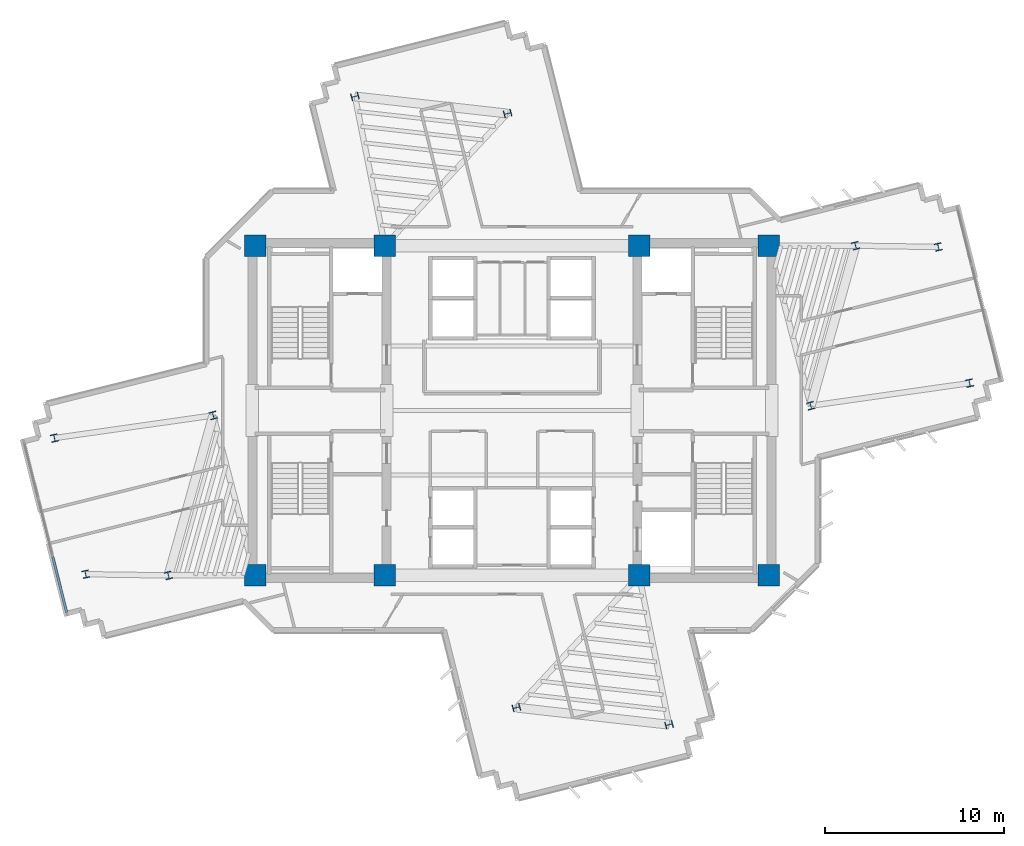
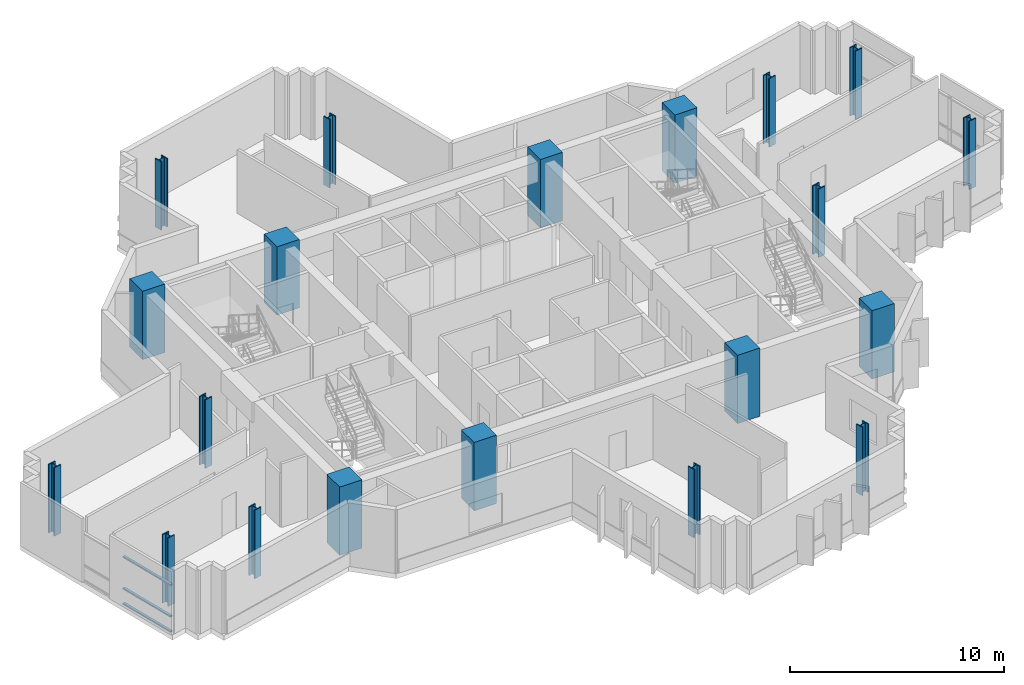
# One storey, part 1 of 13: 20 columns, 3 members, 1 element without a shape of its own.
"""IFC4 building model written with IfcOpenShell, lengths in metres."""

import ifcopenshell
import ifcopenshell.guid

model = None  # the IFC model being written
_history = None  # IfcOwnerHistory: only IFC2X3 demands one
_inside = {}  # id of a spatial element -> (the spatial element, [elements in it])
_under = {}  # id of a project, library or spatial element -> (it, [spatial elements below it])
_declared = {}  # id of a project -> (the project, [libraries it declares])
_typed = {}  # id of a type object -> (the type object, [elements of that type])
_made_of = {}  # id of a material, layer set ... -> (it, [elements and type objects made of it])


def new_model(schema):
    """Start an empty IFC model of exactly this schema.

    Asked for "IFC4X3", IfcOpenShell would pick the latest addendum, in which some entities
    have other attributes; the version numbers below select the first issue.
    IFC2X3 requires an IfcOwnerHistory on every rooted entity: one is made here for all.
    """
    global model, _history
    if schema == "IFC4X3":
        model = ifcopenshell.file(schema_version=(4, 3, 0, 0))
    else:
        model = ifcopenshell.file(schema=schema)
    _inside.clear()
    _under.clear()
    _declared.clear()
    _typed.clear()
    _made_of.clear()
    _history = None
    if model.schema == "IFC2X3":
        org = make("IfcOrganization", Name="unknown")
        user = make(
            "IfcPersonAndOrganization",
            ThePerson=make("IfcPerson", FamilyName="unknown"),
            TheOrganization=org,
        )
        app = make(
            "IfcApplication",
            ApplicationDeveloper=org,
            Version="unknown",
            ApplicationFullName="unknown",
            ApplicationIdentifier="unknown",
        )
        _history = make(
            "IfcOwnerHistory",
            OwningUser=user,
            OwningApplication=app,
            ChangeAction="ADDED",
            CreationDate=0,
        )
    return model


def make(cls, **values):
    """One entity of the class cls with the attributes given. An attribute that is None is left unset."""
    return model.create_entity(
        cls, **{name: value for name, value in values.items() if value is not None}
    )


def rooted(cls, **values):
    """An entity with a GlobalId (a new one), such as an element, a storey or a relation."""
    return make(cls, GlobalId=ifcopenshell.guid.new(), OwnerHistory=_history, **values)


def si_unit(unit_type, name, prefix=None):
    """IfcSIUnit, for example si_unit("LENGTHUNIT", "METRE", prefix="MILLI")."""
    return make("IfcSIUnit", UnitType=unit_type, Prefix=prefix, Name=name)


def assignment(units):
    """IfcUnitAssignment: the units of a project."""
    return None if units is None else make("IfcUnitAssignment", Units=units)


def point(xyz):
    """IfcCartesianPoint."""
    return None if xyz is None else make("IfcCartesianPoint", Coordinates=xyz)


def direction(xyz):
    """IfcDirection."""
    return None if xyz is None else make("IfcDirection", DirectionRatios=xyz)


def frame(location, z_axis=None, x_axis=None):
    """IfcAxis2Placement3D, a coordinate frame: its origin and axes. An axis left out is left unset."""
    return make(
        "IfcAxis2Placement3D",
        Location=point(location),
        Axis=direction(z_axis),
        RefDirection=direction(x_axis),
    )


def frame_2d(location, x_axis=None):
    """IfcAxis2Placement2D, a coordinate frame in the plane: its origin and x axis."""
    return make(
        "IfcAxis2Placement2D", Location=point(location), RefDirection=direction(x_axis)
    )


def origin():
    """The frame at (0, 0, 0) with its axes left unset."""
    return frame((0.0, 0.0, 0.0))


def origin_2d():
    """The frame at (0, 0) in the plane with its x axis left unset."""
    return frame_2d((0.0, 0.0))


def place(relative_to, where):
    """IfcLocalPlacement: puts the frame where relative to a parent placement (None: the world)."""
    return make(
        "IfcLocalPlacement", PlacementRelTo=relative_to, RelativePlacement=where
    )


def context(
    kind, dimensions, precision=None, world=None, true_north=None, identifier=None
):
    """IfcGeometricRepresentationContext, for example the 3D "Model" context."""
    return make(
        "IfcGeometricRepresentationContext",
        ContextIdentifier=identifier,
        ContextType=kind,
        CoordinateSpaceDimension=dimensions,
        Precision=precision,
        WorldCoordinateSystem=world,
        TrueNorth=true_north,
    )


def subcontext(parent, identifier, kind, view, scale=None):
    """IfcGeometricRepresentationSubContext, for example "Body" below "Model"."""
    return make(
        "IfcGeometricRepresentationSubContext",
        ContextIdentifier=identifier,
        ContextType=kind,
        ParentContext=parent,
        TargetScale=scale,
        TargetView=view,
    )


def project(units=None, contexts=None):
    """IfcProject with its units and contexts."""
    return rooted(
        "IfcProject",
        Name="project",
        RepresentationContexts=contexts,
        UnitsInContext=assignment(units),
    )


def spatial(cls, under=None, at=None, **own):
    """A site, building, storey or space (cls), placed at a placement, below another one or the project."""
    s = rooted(cls, ObjectPlacement=at, **own)
    if under is not None:
        _under.setdefault(under.id(), (under, []))[1].append(s)
    return s


def profile(cls, at=None, kind="AREA", **sizes):
    """A parametric profile (cls). Its sizes go by their IFC names, for example OverallWidth=200.0."""
    return make(cls, ProfileType=kind, Position=at, **sizes)


def rectangle(**sizes):
    """IfcRectangleProfileDef."""
    return profile("IfcRectangleProfileDef", **sizes)


def i_section(**sizes):
    """IfcIShapeProfileDef."""
    return profile("IfcIShapeProfileDef", **sizes)


def extrude(swept, where, along, depth):
    """IfcExtrudedAreaSolid: the profile swept, set in the frame where, extruded along a direction by depth."""
    return make(
        "IfcExtrudedAreaSolid",
        SweptArea=swept,
        Position=where,
        ExtrudedDirection=direction(along),
        Depth=depth,
    )


def shape(context_of_items, identifier, shape_type, items):
    """IfcShapeRepresentation: the items that make up one representation, for example the "Body"."""
    return make(
        "IfcShapeRepresentation",
        ContextOfItems=context_of_items,
        RepresentationIdentifier=identifier,
        RepresentationType=shape_type,
        Items=items,
    )


def source(mapping_origin, context_of_items, identifier, shape_type, items):
    """IfcRepresentationMap: a shape defined once, which mapped items show again and again."""
    return make(
        "IfcRepresentationMap",
        MappingOrigin=mapping_origin,
        MappedRepresentation=shape(context_of_items, identifier, shape_type, items),
    )


def transform(
    local_origin,
    x_axis=None,
    y_axis=None,
    z_axis=None,
    scale=None,
    scale2=None,
    scale3=None,
    uniform=True,
):
    """IfcCartesianTransformationOperator3D, or its non-uniform kind. x_axis, y_axis, z_axis: its Axis1, 2, 3."""
    if uniform:
        return make(
            "IfcCartesianTransformationOperator3D",
            Axis1=direction(x_axis),
            Axis2=direction(y_axis),
            LocalOrigin=point(local_origin),
            Scale=scale,
            Axis3=direction(z_axis),
        )
    return make(
        "IfcCartesianTransformationOperator3DnonUniform",
        Axis1=direction(x_axis),
        Axis2=direction(y_axis),
        LocalOrigin=point(local_origin),
        Scale=scale,
        Axis3=direction(z_axis),
        Scale2=scale2,
        Scale3=scale3,
    )


def mapped(mapping_source, mapping_target):
    """IfcMappedItem: shows the shape of a source again, moved by a transform."""
    return make(
        "IfcMappedItem", MappingSource=mapping_source, MappingTarget=mapping_target
    )


def material(Name=None, Category=None):
    """IfcMaterial."""
    return make("IfcMaterial", Name=Name, Category=Category)


def layer(
    of_material, thickness, ventilated=None, Name=None, Category=None, Priority=None
):
    """IfcMaterialLayer: one layer of a wall or slab, of a material (None: an air gap)."""
    return make(
        "IfcMaterialLayer",
        Material=of_material,
        LayerThickness=thickness,
        IsVentilated=ventilated,
        Name=Name,
        Category=Category,
        Priority=Priority,
    )


def layer_set(layers, Name=None):
    """IfcMaterialLayerSet."""
    return make("IfcMaterialLayerSet", MaterialLayers=layers, LayerSetName=Name)


def material_profile(
    of_material, cross_section, Name=None, Category=None, Priority=None
):
    """IfcMaterialProfile: a cross section and its material."""
    return make(
        "IfcMaterialProfile",
        Name=Name,
        Material=of_material,
        Profile=cross_section,
        Priority=Priority,
        Category=Category,
    )


def profile_set(profiles, Name=None, composite=None):
    """IfcMaterialProfileSet."""
    return make(
        "IfcMaterialProfileSet",
        Name=Name,
        MaterialProfiles=profiles,
        CompositeProfile=composite,
    )


def made_of(thing, what):
    """Note that an element or type object is made of a material, layer set ...; save() writes the relation."""
    if what is not None:
        _made_of.setdefault(what.id(), (what, []))[1].append(thing)
    return thing


def type_object(cls, material=None, **own):
    """A type object (cls), such as IfcWallType, which elements share."""
    return made_of(rooted(cls, **own), material)


def element(
    cls,
    number,
    at=None,
    inside=None,
    cuts=None,
    type_object=None,
    material=None,
    context=None,
    identifier="Body",
    shape_type=None,
    held_by="IfcProductDefinitionShape",
    body=None,
    shapes=None,
    **own,
):
    """One element of the class cls, such as IfcWall. Its Tag is "e" and its number.

    at: its placement. inside: the storey or other place that contains it. cuts: it is an
    opening in that element (IfcRelVoidsElement). A single representation is given by context,
    identifier, shape_type and body (its items); several are given by shapes. held_by: the class
    of the entity that holds the representations. save() writes the other relations.
    """
    e = rooted(cls, Tag="e%d" % number, ObjectPlacement=at, **own)
    if body is not None:
        shapes = [shape(context, identifier, shape_type, body)]
    if shapes is not None:
        e.Representation = make(held_by, Representations=shapes)
    if inside is not None:
        _inside.setdefault(inside.id(), (inside, []))[1].append(e)
    if cuts is not None:
        rooted(
            "IfcRelVoidsElement", RelatingBuildingElement=cuts, RelatedOpeningElement=e
        )
    if type_object is not None:
        _typed.setdefault(type_object.id(), (type_object, []))[1].append(e)
    return made_of(e, material)


def aggregate(whole, parts):
    """IfcRelAggregates: a whole, such as a stair, and the parts it consists of."""
    return rooted("IfcRelAggregates", RelatingObject=whole, RelatedObjects=parts)


def save(model, path):
    """Write the relations noted so far, then the file.

    IfcRelAggregates (storeys below a building ...), IfcRelContainedInSpatialStructure (elements
    in a storey), IfcRelDefinesByType, IfcRelAssociatesMaterial and IfcRelDeclares: one each for
    every whole, place, type object, material and project.
    """
    for whole, parts in _under.values():
        aggregate(whole, parts)
    for where, things in _inside.values():
        rooted(
            "IfcRelContainedInSpatialStructure",
            RelatedElements=things,
            RelatingStructure=where,
        )
    for kind, things in _typed.values():
        rooted("IfcRelDefinesByType", RelatedObjects=things, RelatingType=kind)
    for what, things in _made_of.values():
        rooted("IfcRelAssociatesMaterial", RelatedObjects=things, RelatingMaterial=what)
    for by, libraries in _declared.values():
        rooted("IfcRelDeclares", RelatingContext=by, RelatedDefinitions=libraries)
    model.write(path)


model = new_model("IFC4")

# Units and contexts
model_context = context("Model", 3, precision=1e-05, world=origin(), true_north=direction((0.0, 1.0)))
body_context = subcontext(model_context, "Body", "Model", "MODEL_VIEW")
ifc_project = project(units=[si_unit("LENGTHUNIT", "METRE"), si_unit("AREAUNIT", "SQUARE_METRE"), si_unit("VOLUMEUNIT", "CUBIC_METRE"), si_unit("PLANEANGLEUNIT", "RADIAN"), si_unit("MASSUNIT", "GRAM", prefix="KILO")], contexts=[model_context])

# Site, building, storey
site_placement = place(None, origin())
site = spatial("IfcSite", under=ifc_project, at=site_placement, CompositionType="ELEMENT")
building_placement = place(site_placement, origin())
building = spatial("IfcBuilding", under=site, at=building_placement, Name="Zahravan Cultural Tower", CompositionType="ELEMENT")
storey_placement = place(building_placement, frame((0.0, 0.0, 182.39990234375)))
storey = spatial("IfcBuildingStorey", under=building, at=storey_placement, Name="L42", CompositionType="ELEMENT", Elevation=182.39990234375)

# Columns
ifc_material_1 = material(Name="Concrete C50/60", Category="concrete")
ifc_material_profile_1 = material_profile(ifc_material_1, rectangle(XDim=1.199951171875, YDim=1.199951171875, at=origin_2d()), Name="RC1200X1200")
ifc_profile_set_1 = profile_set([ifc_material_profile_1], Name="Concrete C50/60")
column_type_1 = type_object("IfcColumnType", Name="COL-RC1200", PredefinedType="COLUMN", material=ifc_profile_set_1)
shared_shape_1 = source(origin(), body_context, "Body", "SweptSolid", [
    extrude(rectangle(XDim=1.199951171875, YDim=1.199951171875, at=origin_2d()), origin(), (0.0, 0.0, 1.0), 3.900146484375),
])
for number, where, z_axis, x_axis, name in (
    (1, (21.64990234375, 17.800048828125, 0.0), (0.0, 0.0, 1.0), (1.0, 0.0, 0.0), "L42 Column CC-W1"),
    (2, (28.89990234375, 17.800048828125, 0.0), (0.0, 0.0, 1.0), (1.0, 0.0, 0.0), "L42 Column CC-W2"),
    (3, (21.64990234375, 36.199951171875, 0.0), (0.0, 0.0, 1.0), (1.0, 0.0, 0.0), "L42 Column CC-W3"),
    (4, (28.89990234375, 36.199951171875, 0.0), (0.0, 0.0, 1.0), (1.0, 0.0, 0.0), "L42 Column CC-W4"),
    (5, (43.10009765625, 17.800048828125, 0.0), (0.0, 0.0, 1.0), (1.0, 0.0, 0.0), "L42 Column CC-E1"),
    (6, (50.35009765625, 17.800048828125, 0.0), (0.0, 0.0, 1.0), (1.0, 0.0, 0.0), "L42 Column CC-E2"),
    (7, (43.10009765625, 36.199951171875, 0.0), (0.0, 0.0, 1.0), (1.0, 0.0, 0.0), "L42 Column CC-E3"),
    (8, (50.35009765625, 36.199951171875, 0.0), (0.0, 0.0, 1.0), (1.0, 0.0, 0.0), "L42 Column CC-E4"),
):
    element("IfcColumn", number, at=place(storey_placement, frame(where, z_axis=z_axis, x_axis=x_axis)), inside=storey, type_object=column_type_1, Name=name, PredefinedType="COLUMN", context=body_context, shape_type="MappedRepresentation", body=[
        mapped(shared_shape_1, transform((0.0, 0.0, 0.0), x_axis=(1.0, 0.0, 0.0), y_axis=(0.0, 1.0, 0.0), z_axis=(0.0, 0.0, 1.0), scale=1.0)),
    ])
ifc_material_2 = material(Name="Steel ASTM A992 Grade 50", Category="steel")
ifc_material_profile_2 = material_profile(ifc_material_2, i_section(OverallWidth=0.412109375, OverallDepth=0.43505859375, WebThickness=0.035888671875, FlangeThickness=0.057373046875, FilletRadius=0.01806640625, at=origin_2d()), Name="W14X311")
ifc_profile_set_2 = profile_set([ifc_material_profile_2], Name="Steel ASTM A992 Grade 50")
column_type_2 = type_object("IfcColumnType", Name="COL-W14X311", PredefinedType="COLUMN", material=ifc_profile_set_2)
shared_shape_2 = source(origin(), body_context, "Body", "SweptSolid", [
    extrude(i_section(OverallWidth=0.412109375, OverallDepth=0.43505859375, WebThickness=0.035888671875, FlangeThickness=0.057373046875, FilletRadius=0.01806640625, at=origin_2d()), origin(), (0.0, 0.0, 1.0), 3.900146484375),
])
for number, where, z_axis, x_axis, name in (
    (9, (52.684326171875, 27.27099609375, 0.0), (0.0, 0.0, 1.0), (0.966823388604, 0.255445757936, 0.0), "L42 Column Z2C-E1"),
    (10, (55.184814453125, 36.2060546875, 0.0), (0.0, 0.0, 1.0), (0.966823388604, 0.255445757936, 0.0), "L42 Column Z2C-E2"),
    (11, (35.754638671875, 43.587646484375, 0.0), (0.0, 0.0, 1.0), (-0.255445757936, 0.966823388604, 0.0), "L42 Column Z2C-N1"),
    (12, (27.22802734375, 44.541259765625, 0.0), (0.0, 0.0, 1.0), (-0.255445757936, 0.966823388604, 0.0), "L42 Column Z2C-N2"),
    (13, (19.315673828125, 26.72900390625, 0.0), (0.0, 0.0, 1.0), (0.966823388604, 0.255445757936, 0.0), "L42 Column Z2C-W1"),
    (14, (16.815185546875, 17.7939453125, 0.0), (0.0, 0.0, 1.0), (0.966823388604, 0.255445757936, 0.0), "L42 Column Z2C-W2"),
    (15, (36.245361328125, 10.412353515625, 0.0), (0.0, 0.0, 1.0), (-0.255445757936, 0.966823388604, 0.0), "L42 Column Z2C-S1"),
    (16, (44.77197265625, 9.458740234375, 0.0), (0.0, 0.0, 1.0), (-0.255445757936, 0.966823388604, 0.0), "L42 Column Z2C-S2"),
    (17, (61.552734375, 28.53466796875, 0.0), (0.0, 0.0, 1.0), (0.977415894286, 0.211324796455, 0.0), "L42 Column Z2T-E1"),
    (18, (59.806640625, 36.13720703125, 0.0), (0.0, 0.0, 1.0), (0.977415894286, 0.211324796455, 0.0), "L42 Column Z2T-E2"),
    (19, (10.447265625, 25.46533203125, 0.0), (0.0, 0.0, 1.0), (0.977415894286, 0.211324796455, 0.0), "L42 Column Z2T-W1"),
    (20, (12.193359375, 17.86279296875, 0.0), (0.0, 0.0, 1.0), (0.977415894286, 0.211324796455, 0.0), "L42 Column Z2T-W2"),
):
    element("IfcColumn", number, at=place(storey_placement, frame(where, z_axis=z_axis, x_axis=x_axis)), inside=storey, type_object=column_type_2, Name=name, PredefinedType="COLUMN", context=body_context, shape_type="MappedRepresentation", body=[
        mapped(shared_shape_2, transform((0.0, 0.0, 0.0), x_axis=(1.0, 0.0, 0.0), y_axis=(0.0, 1.0, 0.0), z_axis=(0.0, 0.0, 1.0), scale=1.0)),
    ])

# Curtain wall, members
ifc_material_3 = material(Name="Anodised bronze-aluminium mullion", Category="aluminium")
ifc_layer = layer(ifc_material_3, 0.179931640625)
ifc_layer_set = layer_set([ifc_layer], Name="Anodised bronze-aluminium mullion")
curtain_wall_type = type_object("IfcCurtainWallType", Name="CW-SYS-3", PredefinedType="USERDEFINED", material=ifc_layer_set)
curtain_wall_placement = place(storey_placement, origin())
curtain_wall = element("IfcCurtainWall", 21, at=curtain_wall_placement, inside=storey, type_object=curtain_wall_type, Name="L42 Recessed Curtain Wall CW-3.2", ObjectType="RECESSED GLAZING", PredefinedType="USERDEFINED")
ifc_material_profile_3 = material_profile(ifc_material_3, rectangle(XDim=0.139892578125, YDim=0.070068359375, at=origin_2d()), Name="AL-T70X140")
ifc_profile_set_3 = profile_set([ifc_material_profile_3], Name="Anodised bronze-aluminium mullion")
member_type = type_object("IfcMemberType", Name="CWT-CW-3", PredefinedType="USERDEFINED", material=ifc_profile_set_3)
shared_shape_3 = source(origin(), body_context, "Body", "SweptSolid", [
    extrude(rectangle(XDim=0.139892578125, YDim=0.070068359375, at=origin_2d()), origin(), (0.0, 0.0, 1.0), 3.20166015625),
])
member_1_placement = place(storey_placement, frame((11.1328125, 15.731201171875, 0.03515625), z_axis=(-0.242948276951, 0.97003924391, 0.0), x_axis=(-0.97003924391, -0.242948276951, 0.0)))
member_1 = element("IfcMember", 22, at=member_1_placement, type_object=member_type, Name="CW-3 transom 1.1", ObjectType="TRANSOM", PredefinedType="USERDEFINED", context=body_context, shape_type="MappedRepresentation", body=[
    mapped(shared_shape_3, transform((0.0, 0.0, 0.0), x_axis=(1.0, 0.0, 0.0), y_axis=(0.0, 1.0, 0.0), z_axis=(0.0, 0.0, 1.0), scale=1.0)),
])
member_2_placement = place(storey_placement, frame((11.1328125, 15.731201171875, 0.900146484375), z_axis=(-0.242948276951, 0.97003924391, 0.0), x_axis=(-0.97003924391, -0.242948276951, 0.0)))
member_2 = element("IfcMember", 23, at=member_2_placement, type_object=member_type, Name="CW-3 transom 1.2", ObjectType="TRANSOM", PredefinedType="USERDEFINED", context=body_context, shape_type="MappedRepresentation", body=[
    mapped(shared_shape_3, transform((0.0, 0.0, 0.0), x_axis=(1.0, 0.0, 0.0), y_axis=(0.0, 1.0, 0.0), z_axis=(0.0, 0.0, 1.0), scale=1.0)),
])
member_3_placement = place(storey_placement, frame((11.1328125, 15.731201171875, 2.705078125), z_axis=(-0.242948276951, 0.97003924391, 0.0), x_axis=(-0.97003924391, -0.242948276951, 0.0)))
member_3 = element("IfcMember", 24, at=member_3_placement, type_object=member_type, Name="CW-3 transom 1.3", ObjectType="TRANSOM", PredefinedType="USERDEFINED", context=body_context, shape_type="MappedRepresentation", body=[
    mapped(shared_shape_3, transform((0.0, 0.0, 0.0), x_axis=(1.0, 0.0, 0.0), y_axis=(0.0, 1.0, 0.0), z_axis=(0.0, 0.0, 1.0), scale=1.0)),
])
aggregate(curtain_wall, [member_1, member_2, member_3])

save(model, "model.ifc")
